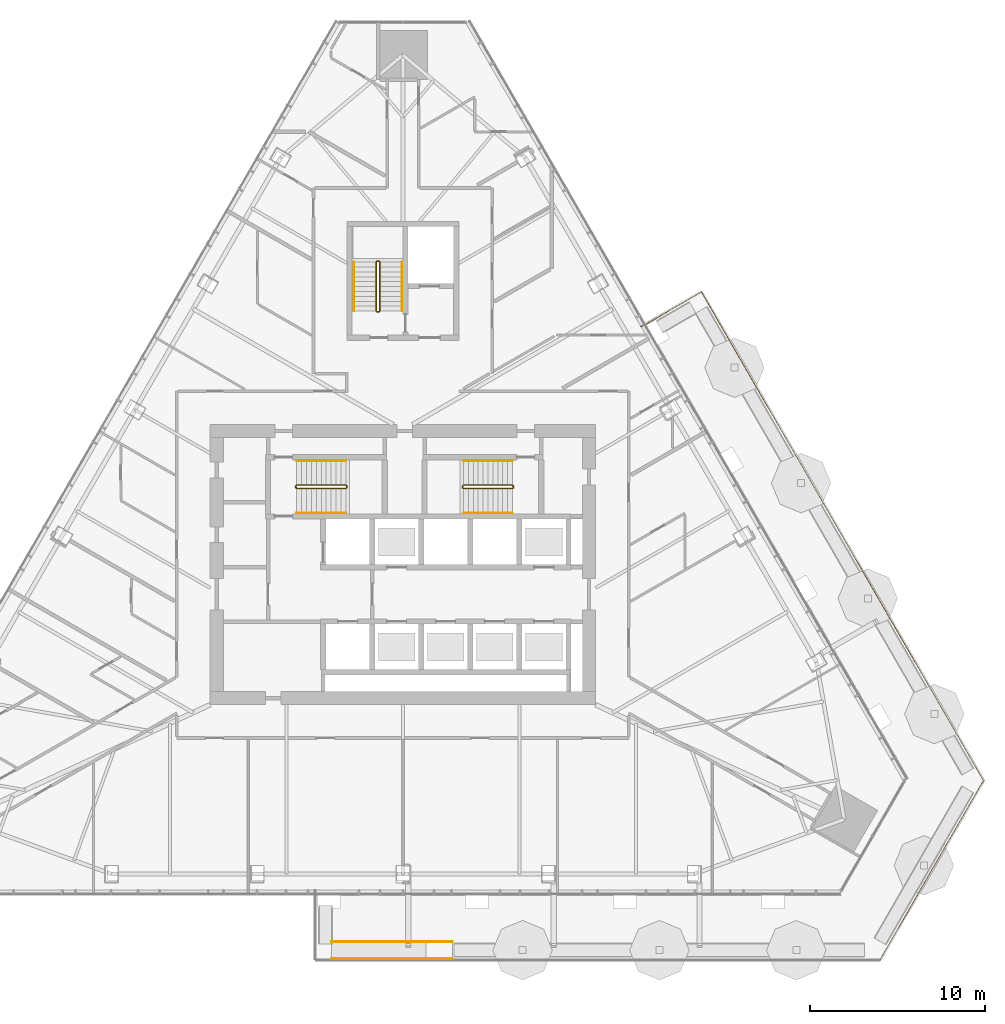
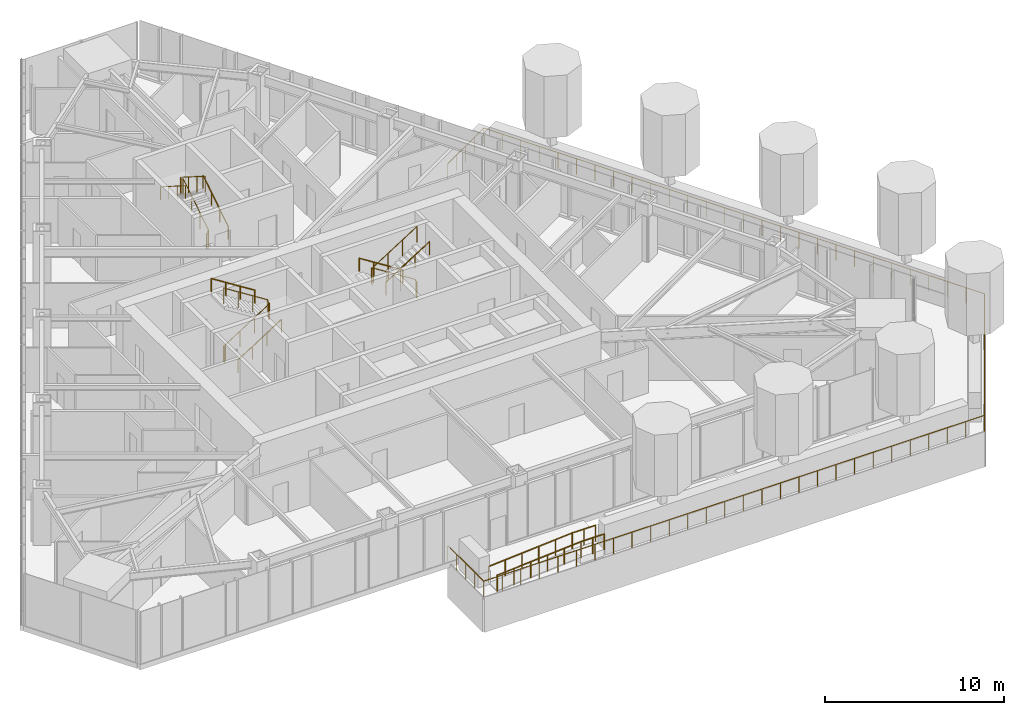
# One storey, part 16 of 18: 12 railings.
"""IFC4 building model written with IfcOpenShell, lengths in metres."""

from ifc_helpers import new_model, si_unit, direction, frame, origin, origin_2d, place, context, subcontext, project, spatial, circle, extrude, material, type_object, element, save


model = new_model("IFC4")

# Units and contexts
model_context = context("Model", 3, precision=1e-05, world=origin(), true_north=direction((0.0, 1.0)))
body_context = subcontext(model_context, "Body", "Model", "MODEL_VIEW")
ifc_project = project(units=[si_unit("LENGTHUNIT", "METRE"), si_unit("AREAUNIT", "SQUARE_METRE"), si_unit("VOLUMEUNIT", "CUBIC_METRE"), si_unit("PLANEANGLEUNIT", "RADIAN"), si_unit("MASSUNIT", "GRAM", prefix="KILO")], contexts=[model_context])

# Site, building, storey
site_placement = place(None, origin())
site = spatial("IfcSite", under=ifc_project, at=site_placement, CompositionType="ELEMENT")
building_placement = place(site_placement, origin())
building = spatial("IfcBuilding", under=site, at=building_placement, Name="Firuza Gate Tower and Library", CompositionType="ELEMENT")
storey_placement = place(building_placement, frame((0.0, 0.0, 226.0)))
storey = spatial("IfcBuildingStorey", under=building, at=storey_placement, Name="L53", CompositionType="ELEMENT", Elevation=226.0)

# Railings
ifc_material_1 = material(Name="Steel S355", Category="steel")
railing_type_1 = type_object("IfcRailingType", Name="Garden ramp guard 1100", PredefinedType="GUARDRAIL", material=ifc_material_1)
for number, where, name in (
    (1, (70.926025390625, 53.4765625, 0.050048828125), "Ramp guard"),
    (2, (70.926025390625, 52.49658203125, 0.050048828125), "Ramp guard"),
):
    element("IfcRailing", number, at=place(storey_placement, frame(where)), inside=storey, type_object=railing_type_1, Name=name, PredefinedType="GUARDRAIL", context=body_context, shape_type="SweptSolid", body=[
        extrude(circle(Radius=0.02392578125, at=origin_2d()), frame((0.0, 0.0, 1.076171875), z_axis=(0.997268984566, 0.0, 0.073855077164), x_axis=(0.0, 1.0, 0.0)), (0.0, 0.0, 1.0), 5.414794921875),
        extrude(circle(Radius=0.02392578125, at=origin_2d()), frame((5.39990234375, 0.0, 1.47607421875), z_axis=(1.0, 0.0, 0.0), x_axis=(0.0, 1.0, 0.0)), (0.0, 0.0, 1.0), 1.5),
        extrude(circle(Radius=0.02099609375, at=origin_2d()), origin(), (0.0, 0.0, 1.0), 1.052001953125),
        extrude(circle(Radius=0.02099609375, at=origin_2d()), frame((1.080078125, 0.0, 0.080078125)), (0.0, 0.0, 1.0), 1.052001953125),
        extrude(circle(Radius=0.02099609375, at=origin_2d()), frame((2.159912109375, 0.0, 0.159912109375)), (0.0, 0.0, 1.0), 1.052001953125),
        extrude(circle(Radius=0.02099609375, at=origin_2d()), frame((3.239990234375, 0.0, 0.239990234375)), (0.0, 0.0, 1.0), 1.052001953125),
        extrude(circle(Radius=0.02099609375, at=origin_2d()), frame((4.31982421875, 0.0, 0.31982421875)), (0.0, 0.0, 1.0), 1.052001953125),
        extrude(circle(Radius=0.02099609375, at=origin_2d()), frame((5.39990234375, 0.0, 0.39990234375)), (0.0, 0.0, 1.0), 1.052001953125),
        extrude(circle(Radius=0.02099609375, at=origin_2d()), frame((6.14990234375, 0.0, 0.39990234375)), (0.0, 0.0, 1.0), 1.052001953125),
        extrude(circle(Radius=0.02099609375, at=origin_2d()), frame((6.89990234375, 0.0, 0.39990234375)), (0.0, 0.0, 1.0), 1.052001953125),
    ])
ifc_material_2 = material(Name="Steel S355", Category="steel")
railing_type_2 = type_object("IfcRailingType", Name="Stair guard 1100", PredefinedType="GUARDRAIL", material=ifc_material_2)
railing_1_placement = place(storey_placement, frame((68.889892578125, 79.389892578125, 0.0)))
element("IfcRailing", 3, at=railing_1_placement, inside=storey, type_object=railing_type_2, Name="L53 ST1 stair guard 1", PredefinedType="GUARDRAIL", context=body_context, shape_type="SweptSolid", body=[
    extrude(circle(Radius=0.02392578125, at=origin_2d()), frame((0.0, 0.0, 1.076171875), z_axis=(0.0, 1.0, 0.0), x_axis=(-1.0, 0.0, 0.0)), (0.0, 0.0, 1.0), 0.10009765625),
    extrude(circle(Radius=0.02392578125, at=origin_2d()), frame((0.0, 0.10009765625, 1.076171875), z_axis=(0.210758951027, -0.631248760638, 0.74639511437), x_axis=(0.948528701346, 0.316691178788, 0.0)), (0.0, 0.0, 1.0), 0.237548828125),
    extrude(circle(Radius=0.02392578125, at=origin_2d()), frame((0.050048828125, -0.0498046875, 1.25341796875), z_axis=(0.844908973607, 0.0, 0.534910110503), x_axis=(0.0, 1.0, 0.0)), (0.0, 0.0, 1.0), 3.31396484375),
    extrude(circle(Radius=0.02392578125, at=origin_2d()), frame((2.85009765625, -0.0498046875, 3.02587890625), z_axis=(0.708833529934, 0.705375805398, 0.0), x_axis=(-0.705375805398, 0.708833529934, 0.0)), (0.0, 0.0, 1.0), 0.070556640625),
    extrude(circle(Radius=0.02392578125, at=origin_2d()), frame((2.900146484375, 0.0, 3.02587890625), z_axis=(0.0, 1.0, 0.0), x_axis=(-1.0, 0.0, 0.0)), (0.0, 0.0, 1.0), 0.10009765625),
    extrude(circle(Radius=0.02392578125, at=origin_2d()), frame((2.900146484375, 0.10009765625, 3.02587890625), z_axis=(-0.262233686654, 0.262233686654, 0.928691007369), x_axis=(-0.707106781187, -0.707106781187, 0.0)), (0.0, 0.0, 1.0), 0.19091796875),
    extrude(circle(Radius=0.02392578125, at=origin_2d()), frame((2.85009765625, 0.150146484375, 3.203125), z_axis=(-0.844908973607, 0.0, 0.534910110503), x_axis=(0.0, -1.0, 0.0)), (0.0, 0.0, 1.0), 3.31396484375),
    extrude(circle(Radius=0.02099609375, at=origin_2d()), origin(), (0.0, 0.0, 1.0), 1.052001953125),
    extrude(circle(Radius=0.02099609375, at=origin_2d()), frame((0.0, 0.10009765625, 0.0)), (0.0, 0.0, 1.0), 1.052001953125),
    extrude(circle(Radius=0.02099609375, at=origin_2d()), frame((0.050048828125, -0.0498046875, 0.17724609375)), (0.0, 0.0, 1.0), 1.052001953125),
    extrude(circle(Radius=0.02099609375, at=origin_2d()), frame((0.9833984375, -0.0498046875, 0.76806640625)), (0.0, 0.0, 1.0), 1.052001953125),
    extrude(circle(Radius=0.02099609375, at=origin_2d()), frame((1.916748046875, -0.0498046875, 1.359130859375)), (0.0, 0.0, 1.0), 1.052001953125),
    extrude(circle(Radius=0.02099609375, at=origin_2d()), frame((2.85009765625, -0.0498046875, 1.949951171875)), (0.0, 0.0, 1.0), 1.052001953125),
    extrude(circle(Radius=0.02099609375, at=origin_2d()), frame((2.900146484375, 0.0, 1.949951171875)), (0.0, 0.0, 1.0), 1.052001953125),
    extrude(circle(Radius=0.02099609375, at=origin_2d()), frame((2.900146484375, 0.10009765625, 1.949951171875)), (0.0, 0.0, 1.0), 1.052001953125),
    extrude(circle(Radius=0.02099609375, at=origin_2d()), frame((2.85009765625, 0.150146484375, 2.127197265625)), (0.0, 0.0, 1.0), 1.052001953125),
    extrude(circle(Radius=0.02099609375, at=origin_2d()), frame((1.916748046875, 0.150146484375, 2.718017578125)), (0.0, 0.0, 1.0), 1.052001953125),
    extrude(circle(Radius=0.02099609375, at=origin_2d()), frame((0.9833984375, 0.150146484375, 3.30908203125)), (0.0, 0.0, 1.0), 1.052001953125),
    extrude(circle(Radius=0.02099609375, at=origin_2d()), frame((0.050048828125, 0.150146484375, 3.89990234375)), (0.0, 0.0, 1.0), 1.052001953125),
])
railing_2_placement = place(storey_placement, frame((81.31005859375, 79.489990234375, 0.0)))
element("IfcRailing", 4, at=railing_2_placement, inside=storey, type_object=railing_type_2, Name="L53 ST2 stair guard 1", PredefinedType="GUARDRAIL", context=body_context, shape_type="SweptSolid", body=[
    extrude(circle(Radius=0.02392578125, at=origin_2d()), frame((0.0, 0.0, 1.076171875), z_axis=(0.0, -1.0, 0.0), x_axis=(1.0, 0.0, 0.0)), (0.0, 0.0, 1.0), 0.10009765625),
    extrude(circle(Radius=0.02392578125, at=origin_2d()), frame((0.0, -0.10009765625, 1.076171875), z_axis=(-0.210622194084, 0.631866582253, 0.74591079466), x_axis=(-0.948683298051, -0.316227766017, 0.0)), (0.0, 0.0, 1.0), 0.237548828125),
    extrude(circle(Radius=0.02392578125, at=origin_2d()), frame((-0.050048828125, 0.050048828125, 1.25341796875), z_axis=(-0.844908973607, 0.0, 0.534910110503), x_axis=(0.0, -1.0, 0.0)), (0.0, 0.0, 1.0), 3.31396484375),
    extrude(circle(Radius=0.02392578125, at=origin_2d()), frame((-2.85009765625, 0.050048828125, 3.02587890625), z_axis=(-0.707106781187, -0.707106781187, 0.0), x_axis=(0.707106781187, -0.707106781187, 0.0)), (0.0, 0.0, 1.0), 0.07080078125),
    extrude(circle(Radius=0.02392578125, at=origin_2d()), frame((-2.900146484375, 0.0, 3.02587890625), z_axis=(0.0, -1.0, 0.0), x_axis=(1.0, 0.0, 0.0)), (0.0, 0.0, 1.0), 0.10009765625),
    extrude(circle(Radius=0.02392578125, at=origin_2d()), frame((-2.900146484375, -0.10009765625, 3.02587890625), z_axis=(0.262321481514, -0.261041864531, 0.929001929653), x_axis=(0.705375805398, 0.708833529934, 0.0)), (0.0, 0.0, 1.0), 0.190673828125),
    extrude(circle(Radius=0.02392578125, at=origin_2d()), frame((-2.85009765625, -0.14990234375, 3.203125), z_axis=(0.844908973607, 0.0, 0.534910110503), x_axis=(0.0, 1.0, 0.0)), (0.0, 0.0, 1.0), 3.31396484375),
    extrude(circle(Radius=0.02099609375, at=origin_2d()), origin(), (0.0, 0.0, 1.0), 1.052001953125),
    extrude(circle(Radius=0.02099609375, at=origin_2d()), frame((0.0, -0.10009765625, 0.0)), (0.0, 0.0, 1.0), 1.052001953125),
    extrude(circle(Radius=0.02099609375, at=origin_2d()), frame((-0.050048828125, 0.050048828125, 0.17724609375)), (0.0, 0.0, 1.0), 1.052001953125),
    extrude(circle(Radius=0.02099609375, at=origin_2d()), frame((-0.9833984375, 0.050048828125, 0.76806640625)), (0.0, 0.0, 1.0), 1.052001953125),
    extrude(circle(Radius=0.02099609375, at=origin_2d()), frame((-1.916748046875, 0.050048828125, 1.359130859375)), (0.0, 0.0, 1.0), 1.052001953125),
    extrude(circle(Radius=0.02099609375, at=origin_2d()), frame((-2.85009765625, 0.050048828125, 1.949951171875)), (0.0, 0.0, 1.0), 1.052001953125),
    extrude(circle(Radius=0.02099609375, at=origin_2d()), frame((-2.900146484375, 0.0, 1.949951171875)), (0.0, 0.0, 1.0), 1.052001953125),
    extrude(circle(Radius=0.02099609375, at=origin_2d()), frame((-2.900146484375, -0.10009765625, 1.949951171875)), (0.0, 0.0, 1.0), 1.052001953125),
    extrude(circle(Radius=0.02099609375, at=origin_2d()), frame((-2.85009765625, -0.14990234375, 2.127197265625)), (0.0, 0.0, 1.0), 1.052001953125),
    extrude(circle(Radius=0.02099609375, at=origin_2d()), frame((-1.916748046875, -0.14990234375, 2.718017578125)), (0.0, 0.0, 1.0), 1.052001953125),
    extrude(circle(Radius=0.02099609375, at=origin_2d()), frame((-0.9833984375, -0.14990234375, 3.30908203125)), (0.0, 0.0, 1.0), 1.052001953125),
    extrude(circle(Radius=0.02099609375, at=origin_2d()), frame((-0.050048828125, -0.14990234375, 3.89990234375)), (0.0, 0.0, 1.0), 1.052001953125),
])
railing_3_placement = place(storey_placement, frame((73.6298828125, 89.419921875, 0.0)))
element("IfcRailing", 5, at=railing_3_placement, inside=storey, type_object=railing_type_2, Name="L53 ST3 stair guard 1", PredefinedType="GUARDRAIL", context=body_context, shape_type="SweptSolid", body=[
    extrude(circle(Radius=0.02392578125, at=origin_2d()), frame((0.0, 0.0, 1.076171875), z_axis=(-1.0, 0.0, 0.0), x_axis=(0.0, -1.0, 0.0)), (0.0, 0.0, 1.0), 0.099853515625),
    extrude(circle(Radius=0.02392578125, at=origin_2d()), frame((-0.099853515625, 0.0, 1.076171875), z_axis=(0.631248760638, 0.210758951027, 0.74639511437), x_axis=(-0.316691178788, 0.948528701346, 0.0)), (0.0, 0.0, 1.0), 0.237548828125),
    extrude(circle(Radius=0.02392578125, at=origin_2d()), frame((0.050048828125, 0.050048828125, 1.25341796875), z_axis=(0.0, 0.844908973607, 0.534910110503), x_axis=(-1.0, 0.0, 0.0)), (0.0, 0.0, 1.0), 3.31396484375),
    extrude(circle(Radius=0.02392578125, at=origin_2d()), frame((0.050048828125, 2.85009765625, 3.02587890625), z_axis=(-0.707106781187, 0.707106781187, 0.0), x_axis=(-0.707106781187, -0.707106781187, 0.0)), (0.0, 0.0, 1.0), 0.07080078125),
    extrude(circle(Radius=0.02392578125, at=origin_2d()), frame((0.0, 2.900146484375, 3.02587890625), z_axis=(-1.0, 0.0, 0.0), x_axis=(0.0, -1.0, 0.0)), (0.0, 0.0, 1.0), 0.099853515625),
    extrude(circle(Radius=0.02392578125, at=origin_2d()), frame((-0.099853515625, 2.900146484375, 3.02587890625), z_axis=(-0.262233686654, -0.262233686654, 0.928691007369), x_axis=(0.707106781187, -0.707106781187, 0.0)), (0.0, 0.0, 1.0), 0.19091796875),
    extrude(circle(Radius=0.02392578125, at=origin_2d()), frame((-0.14990234375, 2.85009765625, 3.203125), z_axis=(0.0, -0.844908973607, 0.534910110503), x_axis=(1.0, 0.0, 0.0)), (0.0, 0.0, 1.0), 3.31396484375),
    extrude(circle(Radius=0.02099609375, at=origin_2d()), origin(), (0.0, 0.0, 1.0), 1.052001953125),
    extrude(circle(Radius=0.02099609375, at=origin_2d()), frame((-0.099853515625, 0.0, 0.0)), (0.0, 0.0, 1.0), 1.052001953125),
    extrude(circle(Radius=0.02099609375, at=origin_2d()), frame((0.050048828125, 0.050048828125, 0.17724609375)), (0.0, 0.0, 1.0), 1.052001953125),
    extrude(circle(Radius=0.02099609375, at=origin_2d()), frame((0.050048828125, 0.9833984375, 0.76806640625)), (0.0, 0.0, 1.0), 1.052001953125),
    extrude(circle(Radius=0.02099609375, at=origin_2d()), frame((0.050048828125, 1.916748046875, 1.359130859375)), (0.0, 0.0, 1.0), 1.052001953125),
    extrude(circle(Radius=0.02099609375, at=origin_2d()), frame((0.050048828125, 2.85009765625, 1.949951171875)), (0.0, 0.0, 1.0), 1.052001953125),
    extrude(circle(Radius=0.02099609375, at=origin_2d()), frame((0.0, 2.900146484375, 1.949951171875)), (0.0, 0.0, 1.0), 1.052001953125),
    extrude(circle(Radius=0.02099609375, at=origin_2d()), frame((-0.099853515625, 2.900146484375, 1.949951171875)), (0.0, 0.0, 1.0), 1.052001953125),
    extrude(circle(Radius=0.02099609375, at=origin_2d()), frame((-0.14990234375, 2.85009765625, 2.127197265625)), (0.0, 0.0, 1.0), 1.052001953125),
    extrude(circle(Radius=0.02099609375, at=origin_2d()), frame((-0.14990234375, 1.916748046875, 2.718017578125)), (0.0, 0.0, 1.0), 1.052001953125),
    extrude(circle(Radius=0.02099609375, at=origin_2d()), frame((-0.14990234375, 0.9833984375, 3.30908203125)), (0.0, 0.0, 1.0), 1.052001953125),
    extrude(circle(Radius=0.02099609375, at=origin_2d()), frame((-0.14990234375, 0.050048828125, 3.89990234375)), (0.0, 0.0, 1.0), 1.052001953125),
])
ifc_material_3 = material(Name="Steel S355", Category="steel")
railing_type_3 = type_object("IfcRailingType", Name="Stair handrail 900", PredefinedType="HANDRAIL", material=ifc_material_3)
railing_4_placement = place(storey_placement, frame((68.93994140625, 77.949951171875, 0.17724609375)))
element("IfcRailing", 6, at=railing_4_placement, inside=storey, type_object=railing_type_3, Name="L53 ST1 stair handrail 1", PredefinedType="HANDRAIL", context=body_context, shape_type="SweptSolid", body=[
    extrude(circle(Radius=0.02392578125, at=origin_2d()), frame((0.0, 0.0, 0.8759765625), z_axis=(0.844908973607, 0.0, 0.534910110503), x_axis=(0.0, 1.0, 0.0)), (0.0, 0.0, 1.0), 3.31396484375),
    extrude(circle(Radius=0.02099609375, at=origin_2d()), origin(), (0.0, 0.0, 1.0), 0.851806640625),
    extrude(circle(Radius=0.02099609375, at=origin_2d()), frame((0.933349609375, 0.0, 0.5908203125)), (0.0, 0.0, 1.0), 0.851806640625),
    extrude(circle(Radius=0.02099609375, at=origin_2d()), frame((1.86669921875, 0.0, 1.181884765625)), (0.0, 0.0, 1.0), 0.851806640625),
    extrude(circle(Radius=0.02099609375, at=origin_2d()), frame((2.800048828125, 0.0, 1.772705078125)), (0.0, 0.0, 1.0), 0.851806640625),
])
for number, where, name in (
    (7, (71.739990234375, 80.929931640625, 2.127197265625), "L53 ST1 stair handrail 2"),
    (8, (81.260009765625, 80.929931640625, 0.17724609375), "L53 ST2 stair handrail 1"),
):
    element("IfcRailing", number, at=place(storey_placement, frame(where)), inside=storey, type_object=railing_type_3, Name=name, PredefinedType="HANDRAIL", context=body_context, shape_type="SweptSolid", body=[
        extrude(circle(Radius=0.02392578125, at=origin_2d()), frame((0.0, 0.0, 0.8759765625), z_axis=(-0.844908973607, 0.0, 0.534910110503), x_axis=(0.0, -1.0, 0.0)), (0.0, 0.0, 1.0), 3.31396484375),
        extrude(circle(Radius=0.02099609375, at=origin_2d()), origin(), (0.0, 0.0, 1.0), 0.851806640625),
        extrude(circle(Radius=0.02099609375, at=origin_2d()), frame((-0.933349609375, 0.0, 0.5908203125)), (0.0, 0.0, 1.0), 0.851806640625),
        extrude(circle(Radius=0.02099609375, at=origin_2d()), frame((-1.86669921875, 0.0, 1.181884765625)), (0.0, 0.0, 1.0), 0.851806640625),
        extrude(circle(Radius=0.02099609375, at=origin_2d()), frame((-2.800048828125, 0.0, 1.772705078125)), (0.0, 0.0, 1.0), 0.851806640625),
    ])
railing_5_placement = place(storey_placement, frame((78.4599609375, 77.949951171875, 2.127197265625)))
element("IfcRailing", 9, at=railing_5_placement, inside=storey, type_object=railing_type_3, Name="L53 ST2 stair handrail 2", PredefinedType="HANDRAIL", context=body_context, shape_type="SweptSolid", body=[
    extrude(circle(Radius=0.02392578125, at=origin_2d()), frame((0.0, 0.0, 0.8759765625), z_axis=(0.844908973607, 0.0, 0.534910110503), x_axis=(0.0, 1.0, 0.0)), (0.0, 0.0, 1.0), 3.31396484375),
    extrude(circle(Radius=0.02099609375, at=origin_2d()), origin(), (0.0, 0.0, 1.0), 0.851806640625),
    extrude(circle(Radius=0.02099609375, at=origin_2d()), frame((0.933349609375, 0.0, 0.5908203125)), (0.0, 0.0, 1.0), 0.851806640625),
    extrude(circle(Radius=0.02099609375, at=origin_2d()), frame((1.86669921875, 0.0, 1.181884765625)), (0.0, 0.0, 1.0), 0.851806640625),
    extrude(circle(Radius=0.02099609375, at=origin_2d()), frame((2.800048828125, 0.0, 1.772705078125)), (0.0, 0.0, 1.0), 0.851806640625),
])
railing_6_placement = place(storey_placement, frame((74.949951171875, 89.469970703125, 0.17724609375)))
element("IfcRailing", 10, at=railing_6_placement, inside=storey, type_object=railing_type_3, Name="L53 ST3 stair handrail 1", PredefinedType="HANDRAIL", context=body_context, shape_type="SweptSolid", body=[
    extrude(circle(Radius=0.02392578125, at=origin_2d()), frame((0.0, 0.0, 0.8759765625), z_axis=(0.0, 0.844908973607, 0.534910110503), x_axis=(-1.0, 0.0, 0.0)), (0.0, 0.0, 1.0), 3.31396484375),
    extrude(circle(Radius=0.02099609375, at=origin_2d()), origin(), (0.0, 0.0, 1.0), 0.851806640625),
    extrude(circle(Radius=0.02099609375, at=origin_2d()), frame((0.0, 0.933349609375, 0.5908203125)), (0.0, 0.0, 1.0), 0.851806640625),
    extrude(circle(Radius=0.02099609375, at=origin_2d()), frame((0.0, 1.86669921875, 1.181884765625)), (0.0, 0.0, 1.0), 0.851806640625),
    extrude(circle(Radius=0.02099609375, at=origin_2d()), frame((0.0, 2.800048828125, 1.772705078125)), (0.0, 0.0, 1.0), 0.851806640625),
])
railing_7_placement = place(storey_placement, frame((72.2099609375, 92.27001953125, 2.127197265625)))
element("IfcRailing", 11, at=railing_7_placement, inside=storey, type_object=railing_type_3, Name="L53 ST3 stair handrail 2", PredefinedType="HANDRAIL", context=body_context, shape_type="SweptSolid", body=[
    extrude(circle(Radius=0.02392578125, at=origin_2d()), frame((0.0, 0.0, 0.8759765625), z_axis=(0.0, -0.844908973607, 0.534910110503), x_axis=(1.0, 0.0, 0.0)), (0.0, 0.0, 1.0), 3.31396484375),
    extrude(circle(Radius=0.02099609375, at=origin_2d()), origin(), (0.0, 0.0, 1.0), 0.851806640625),
    extrude(circle(Radius=0.02099609375, at=origin_2d()), frame((0.0, -0.933349609375, 0.5908203125)), (0.0, 0.0, 1.0), 0.851806640625),
    extrude(circle(Radius=0.02099609375, at=origin_2d()), frame((0.0, -1.86669921875, 1.181884765625)), (0.0, 0.0, 1.0), 0.851806640625),
    extrude(circle(Radius=0.02099609375, at=origin_2d()), frame((0.0, -2.800048828125, 1.772705078125)), (0.0, 0.0, 1.0), 0.851806640625),
])
ifc_material_4 = material(Name="Steel S355", Category="steel")
railing_type_4 = type_object("IfcRailingType", Name="Terrace guard 1100", PredefinedType="GUARDRAIL", material=ifc_material_4)
railing_8_placement = place(storey_placement, frame((70.02587890625, 56.4365234375, 0.0)))
element("IfcRailing", 12, at=railing_8_placement, inside=storey, type_object=railing_type_4, Name="Tray guard L53", PredefinedType="GUARDRAIL", context=body_context, shape_type="SweptSolid", body=[
    extrude(circle(Radius=0.02392578125, at=origin_2d()), frame((0.0, 0.0, 1.076171875), z_axis=(0.0, -1.0, 0.0), x_axis=(1.0, 0.0, 0.0)), (0.0, 0.0, 1.0), 4.0),
    extrude(circle(Radius=0.02392578125, at=origin_2d()), frame((0.0, -4.0, 1.076171875), z_axis=(1.0, 0.0, 0.0), x_axis=(0.0, 1.0, 0.0)), (0.0, 0.0, 1.0), 32.236328125),
    extrude(circle(Radius=0.02392578125, at=origin_2d()), frame((32.236328125, -4.0, 1.076171875), z_axis=(0.500002592159, 0.866023907196, 0.0), x_axis=(-0.866023907196, 0.500002592159, 0.0)), (0.0, 0.0, 1.0), 11.81884765625),
    extrude(circle(Radius=0.02392578125, at=origin_2d()), frame((38.145751953125, 6.2353515625, 1.076171875), z_axis=(-0.499999981359, 0.866025414547, 0.0), x_axis=(-0.866025414547, -0.499999981359, 0.0)), (0.0, 0.0, 1.0), 32.236328125),
    extrude(circle(Radius=0.02392578125, at=origin_2d()), frame((22.027587890625, 34.15283203125, 1.076171875), z_axis=(-0.866026010844, -0.49999894854, 0.0), x_axis=(0.49999894854, -0.866026010844, 0.0)), (0.0, 0.0, 1.0), 4.0),
    extrude(circle(Radius=0.02099609375, at=origin_2d()), origin(), (0.0, 0.0, 1.0), 1.052001953125),
    extrude(circle(Radius=0.02099609375, at=origin_2d()), frame((0.0, -1.0, 0.0)), (0.0, 0.0, 1.0), 1.052001953125),
    extrude(circle(Radius=0.02099609375, at=origin_2d()), frame((0.0, -2.0, 0.0)), (0.0, 0.0, 1.0), 1.052001953125),
    extrude(circle(Radius=0.02099609375, at=origin_2d()), frame((0.0, -3.0, 0.0)), (0.0, 0.0, 1.0), 1.052001953125),
    extrude(circle(Radius=0.02099609375, at=origin_2d()), frame((0.0, -4.0, 0.0)), (0.0, 0.0, 1.0), 1.052001953125),
    extrude(circle(Radius=0.02099609375, at=origin_2d()), frame((1.19384765625, -4.0, 0.0)), (0.0, 0.0, 1.0), 1.052001953125),
    extrude(circle(Radius=0.02099609375, at=origin_2d()), frame((2.387939453125, -4.0, 0.0)), (0.0, 0.0, 1.0), 1.052001953125),
    extrude(circle(Radius=0.02099609375, at=origin_2d()), frame((3.581787109375, -4.0, 0.0)), (0.0, 0.0, 1.0), 1.052001953125),
    extrude(circle(Radius=0.02099609375, at=origin_2d()), frame((4.775634765625, -4.0, 0.0)), (0.0, 0.0, 1.0), 1.052001953125),
    extrude(circle(Radius=0.02099609375, at=origin_2d()), frame((5.9697265625, -4.0, 0.0)), (0.0, 0.0, 1.0), 1.052001953125),
    extrude(circle(Radius=0.02099609375, at=origin_2d()), frame((7.16357421875, -4.0, 0.0)), (0.0, 0.0, 1.0), 1.052001953125),
    extrude(circle(Radius=0.02099609375, at=origin_2d()), frame((8.357666015625, -4.0, 0.0)), (0.0, 0.0, 1.0), 1.052001953125),
    extrude(circle(Radius=0.02099609375, at=origin_2d()), frame((9.551513671875, -4.0, 0.0)), (0.0, 0.0, 1.0), 1.052001953125),
    extrude(circle(Radius=0.02099609375, at=origin_2d()), frame((10.745361328125, -4.0, 0.0)), (0.0, 0.0, 1.0), 1.052001953125),
    extrude(circle(Radius=0.02099609375, at=origin_2d()), frame((11.939453125, -4.0, 0.0)), (0.0, 0.0, 1.0), 1.052001953125),
    extrude(circle(Radius=0.02099609375, at=origin_2d()), frame((13.13330078125, -4.0, 0.0)), (0.0, 0.0, 1.0), 1.052001953125),
    extrude(circle(Radius=0.02099609375, at=origin_2d()), frame((14.3271484375, -4.0, 0.0)), (0.0, 0.0, 1.0), 1.052001953125),
    extrude(circle(Radius=0.02099609375, at=origin_2d()), frame((15.521240234375, -4.0, 0.0)), (0.0, 0.0, 1.0), 1.052001953125),
    extrude(circle(Radius=0.02099609375, at=origin_2d()), frame((16.715087890625, -4.0, 0.0)), (0.0, 0.0, 1.0), 1.052001953125),
    extrude(circle(Radius=0.02099609375, at=origin_2d()), frame((17.9091796875, -4.0, 0.0)), (0.0, 0.0, 1.0), 1.052001953125),
    extrude(circle(Radius=0.02099609375, at=origin_2d()), frame((19.10302734375, -4.0, 0.0)), (0.0, 0.0, 1.0), 1.052001953125),
    extrude(circle(Radius=0.02099609375, at=origin_2d()), frame((20.296875, -4.0, 0.0)), (0.0, 0.0, 1.0), 1.052001953125),
    extrude(circle(Radius=0.02099609375, at=origin_2d()), frame((21.490966796875, -4.0, 0.0)), (0.0, 0.0, 1.0), 1.052001953125),
    extrude(circle(Radius=0.02099609375, at=origin_2d()), frame((22.684814453125, -4.0, 0.0)), (0.0, 0.0, 1.0), 1.052001953125),
    extrude(circle(Radius=0.02099609375, at=origin_2d()), frame((23.878662109375, -4.0, 0.0)), (0.0, 0.0, 1.0), 1.052001953125),
    extrude(circle(Radius=0.02099609375, at=origin_2d()), frame((25.07275390625, -4.0, 0.0)), (0.0, 0.0, 1.0), 1.052001953125),
    extrude(circle(Radius=0.02099609375, at=origin_2d()), frame((26.2666015625, -4.0, 0.0)), (0.0, 0.0, 1.0), 1.052001953125),
    extrude(circle(Radius=0.02099609375, at=origin_2d()), frame((27.460693359375, -4.0, 0.0)), (0.0, 0.0, 1.0), 1.052001953125),
    extrude(circle(Radius=0.02099609375, at=origin_2d()), frame((28.654541015625, -4.0, 0.0)), (0.0, 0.0, 1.0), 1.052001953125),
    extrude(circle(Radius=0.02099609375, at=origin_2d()), frame((29.848388671875, -4.0, 0.0)), (0.0, 0.0, 1.0), 1.052001953125),
    extrude(circle(Radius=0.02099609375, at=origin_2d()), frame((31.04248046875, -4.0, 0.0)), (0.0, 0.0, 1.0), 1.052001953125),
    extrude(circle(Radius=0.02099609375, at=origin_2d()), frame((32.236328125, -4.0, 0.0)), (0.0, 0.0, 1.0), 1.052001953125),
    extrude(circle(Radius=0.02099609375, at=origin_2d()), frame((32.8271484375, -2.9765625, 0.0)), (0.0, 0.0, 1.0), 1.052001953125),
    extrude(circle(Radius=0.02099609375, at=origin_2d()), frame((33.418212890625, -1.952880859375, 0.0)), (0.0, 0.0, 1.0), 1.052001953125),
    extrude(circle(Radius=0.02099609375, at=origin_2d()), frame((34.00927734375, -0.929443359375, 0.0)), (0.0, 0.0, 1.0), 1.052001953125),
    extrude(circle(Radius=0.02099609375, at=origin_2d()), frame((34.60009765625, 0.09423828125, 0.0)), (0.0, 0.0, 1.0), 1.052001953125),
    extrude(circle(Radius=0.02099609375, at=origin_2d()), frame((35.19091796875, 1.11767578125, 0.0)), (0.0, 0.0, 1.0), 1.052001953125),
    extrude(circle(Radius=0.02099609375, at=origin_2d()), frame((35.781982421875, 2.14111328125, 0.0)), (0.0, 0.0, 1.0), 1.052001953125),
    extrude(circle(Radius=0.02099609375, at=origin_2d()), frame((36.373046875, 3.164794921875, 0.0)), (0.0, 0.0, 1.0), 1.052001953125),
    extrude(circle(Radius=0.02099609375, at=origin_2d()), frame((36.9638671875, 4.188232421875, 0.0)), (0.0, 0.0, 1.0), 1.052001953125),
    extrude(circle(Radius=0.02099609375, at=origin_2d()), frame((37.5546875, 5.2119140625, 0.0)), (0.0, 0.0, 1.0), 1.052001953125),
    extrude(circle(Radius=0.02099609375, at=origin_2d()), frame((38.145751953125, 6.2353515625, 0.0)), (0.0, 0.0, 1.0), 1.052001953125),
    extrude(circle(Radius=0.02099609375, at=origin_2d()), frame((37.548828125, 7.269287109375, 0.0)), (0.0, 0.0, 1.0), 1.052001953125),
    extrude(circle(Radius=0.02099609375, at=origin_2d()), frame((36.951904296875, 8.30322265625, 0.0)), (0.0, 0.0, 1.0), 1.052001953125),
    extrude(circle(Radius=0.02099609375, at=origin_2d()), frame((36.354736328125, 9.33740234375, 0.0)), (0.0, 0.0, 1.0), 1.052001953125),
    extrude(circle(Radius=0.02099609375, at=origin_2d()), frame((35.7578125, 10.371337890625, 0.0)), (0.0, 0.0, 1.0), 1.052001953125),
    extrude(circle(Radius=0.02099609375, at=origin_2d()), frame((35.160888671875, 11.4052734375, 0.0)), (0.0, 0.0, 1.0), 1.052001953125),
    extrude(circle(Radius=0.02099609375, at=origin_2d()), frame((34.56396484375, 12.439208984375, 0.0)), (0.0, 0.0, 1.0), 1.052001953125),
    extrude(circle(Radius=0.02099609375, at=origin_2d()), frame((33.967041015625, 13.47314453125, 0.0)), (0.0, 0.0, 1.0), 1.052001953125),
    extrude(circle(Radius=0.02099609375, at=origin_2d()), frame((33.3701171875, 14.507080078125, 0.0)), (0.0, 0.0, 1.0), 1.052001953125),
    extrude(circle(Radius=0.02099609375, at=origin_2d()), frame((32.77294921875, 15.541259765625, 0.0)), (0.0, 0.0, 1.0), 1.052001953125),
    extrude(circle(Radius=0.02099609375, at=origin_2d()), frame((32.176025390625, 16.5751953125, 0.0)), (0.0, 0.0, 1.0), 1.052001953125),
    extrude(circle(Radius=0.02099609375, at=origin_2d()), frame((31.5791015625, 17.609130859375, 0.0)), (0.0, 0.0, 1.0), 1.052001953125),
    extrude(circle(Radius=0.02099609375, at=origin_2d()), frame((30.982177734375, 18.64306640625, 0.0)), (0.0, 0.0, 1.0), 1.052001953125),
    extrude(circle(Radius=0.02099609375, at=origin_2d()), frame((30.38525390625, 19.677001953125, 0.0)), (0.0, 0.0, 1.0), 1.052001953125),
    extrude(circle(Radius=0.02099609375, at=origin_2d()), frame((29.7880859375, 20.711181640625, 0.0)), (0.0, 0.0, 1.0), 1.052001953125),
    extrude(circle(Radius=0.02099609375, at=origin_2d()), frame((29.191162109375, 21.7451171875, 0.0)), (0.0, 0.0, 1.0), 1.052001953125),
    extrude(circle(Radius=0.02099609375, at=origin_2d()), frame((28.59423828125, 22.779052734375, 0.0)), (0.0, 0.0, 1.0), 1.052001953125),
    extrude(circle(Radius=0.02099609375, at=origin_2d()), frame((27.997314453125, 23.81298828125, 0.0)), (0.0, 0.0, 1.0), 1.052001953125),
    extrude(circle(Radius=0.02099609375, at=origin_2d()), frame((27.400390625, 24.846923828125, 0.0)), (0.0, 0.0, 1.0), 1.052001953125),
    extrude(circle(Radius=0.02099609375, at=origin_2d()), frame((26.80322265625, 25.881103515625, 0.0)), (0.0, 0.0, 1.0), 1.052001953125),
    extrude(circle(Radius=0.02099609375, at=origin_2d()), frame((26.206298828125, 26.9150390625, 0.0)), (0.0, 0.0, 1.0), 1.052001953125),
    extrude(circle(Radius=0.02099609375, at=origin_2d()), frame((25.609375, 27.948974609375, 0.0)), (0.0, 0.0, 1.0), 1.052001953125),
    extrude(circle(Radius=0.02099609375, at=origin_2d()), frame((25.012451171875, 28.98291015625, 0.0)), (0.0, 0.0, 1.0), 1.052001953125),
    extrude(circle(Radius=0.02099609375, at=origin_2d()), frame((24.41552734375, 30.016845703125, 0.0)), (0.0, 0.0, 1.0), 1.052001953125),
    extrude(circle(Radius=0.02099609375, at=origin_2d()), frame((23.818603515625, 31.05078125, 0.0)), (0.0, 0.0, 1.0), 1.052001953125),
    extrude(circle(Radius=0.02099609375, at=origin_2d()), frame((23.221435546875, 32.0849609375, 0.0)), (0.0, 0.0, 1.0), 1.052001953125),
    extrude(circle(Radius=0.02099609375, at=origin_2d()), frame((22.62451171875, 33.118896484375, 0.0)), (0.0, 0.0, 1.0), 1.052001953125),
    extrude(circle(Radius=0.02099609375, at=origin_2d()), frame((22.027587890625, 34.15283203125, 0.0)), (0.0, 0.0, 1.0), 1.052001953125),
    extrude(circle(Radius=0.02099609375, at=origin_2d()), frame((21.16162109375, 33.65283203125, 0.0)), (0.0, 0.0, 1.0), 1.052001953125),
    extrude(circle(Radius=0.02099609375, at=origin_2d()), frame((20.29541015625, 33.15283203125, 0.0)), (0.0, 0.0, 1.0), 1.052001953125),
    extrude(circle(Radius=0.02099609375, at=origin_2d()), frame((19.429443359375, 32.65283203125, 0.0)), (0.0, 0.0, 1.0), 1.052001953125),
    extrude(circle(Radius=0.02099609375, at=origin_2d()), frame((18.5634765625, 32.15283203125, 0.0)), (0.0, 0.0, 1.0), 1.052001953125),
])

save(model, "model.ifc")
